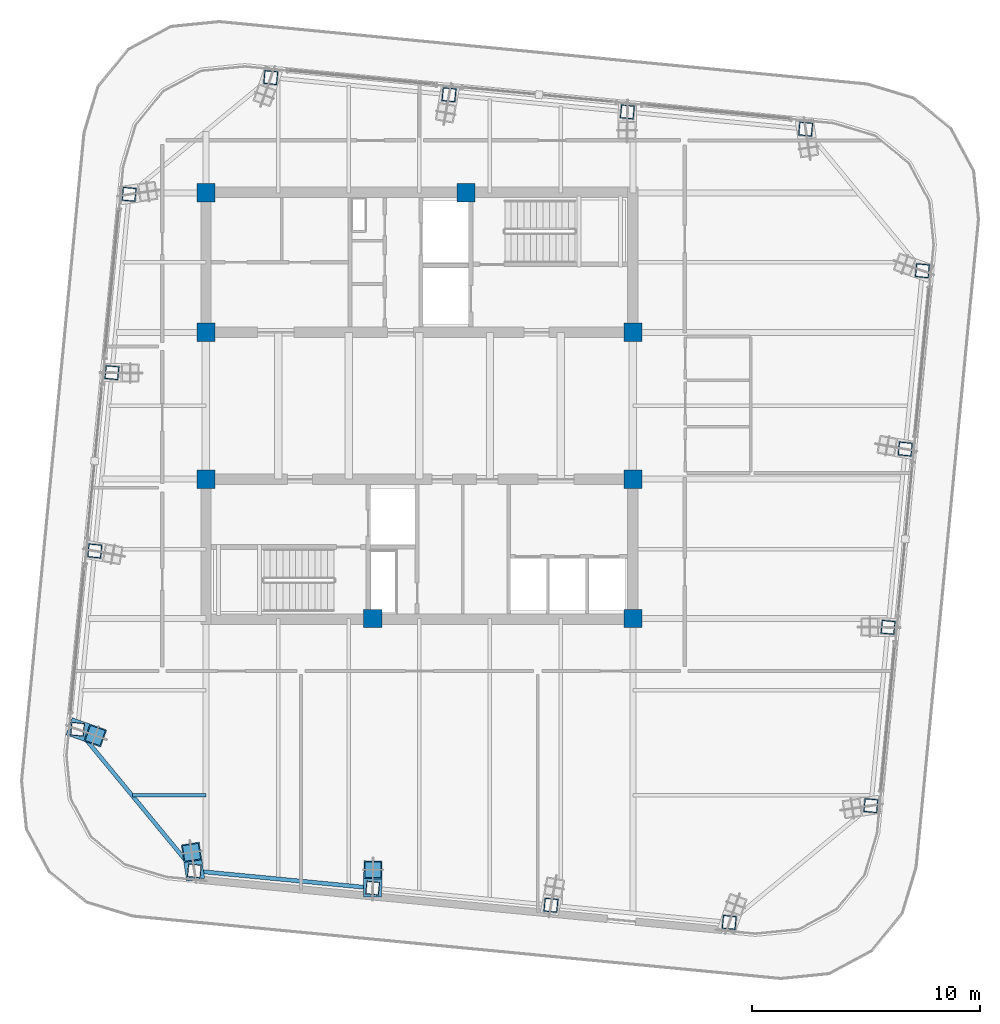
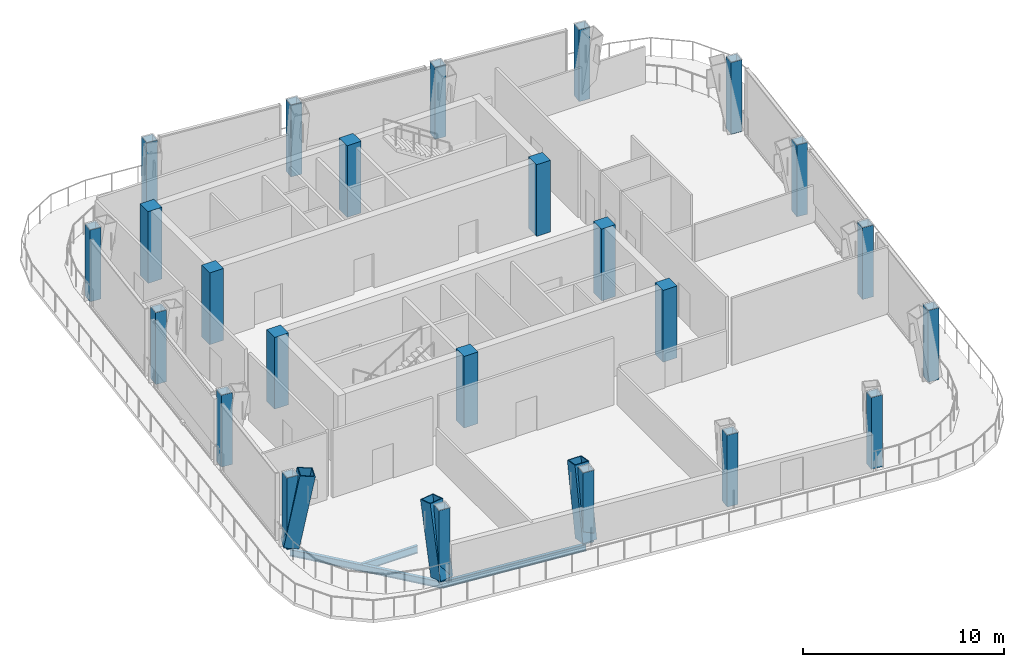
# One storey, part 1 of 19: 24 columns, 3 beams, 3 members.
"""IFC4 building model written with IfcOpenShell, lengths in metres."""

from ifc_helpers import new_model, si_unit, direction, frame, origin, origin_2d, place, context, subcontext, project, spatial, rectangle, hollow_rectangle, i_section, extrude, material, material_profile, profile_set, type_object, element, save


model = new_model("IFC4")

# Units and contexts
model_context = context("Model", 3, precision=1e-05, world=origin(), true_north=direction((0.0, 1.0)))
body_context = subcontext(model_context, "Body", "Model", "MODEL_VIEW")
ifc_project = project(units=[si_unit("LENGTHUNIT", "METRE"), si_unit("AREAUNIT", "SQUARE_METRE"), si_unit("VOLUMEUNIT", "CUBIC_METRE"), si_unit("PLANEANGLEUNIT", "RADIAN"), si_unit("MASSUNIT", "GRAM", prefix="KILO")], contexts=[model_context])

# Site, building, storey
site_placement = place(None, origin())
site = spatial("IfcSite", under=ifc_project, at=site_placement, CompositionType="ELEMENT")
building_placement = place(site_placement, origin())
building = spatial("IfcBuilding", under=site, at=building_placement, Name="Qhalaya Broadcast Tower", CompositionType="ELEMENT")
storey_placement = place(building_placement, frame((0.0, 0.0, 280.550048828125)))
storey = spatial("IfcBuildingStorey", under=building, at=storey_placement, Name="L83", CompositionType="ELEMENT", Elevation=280.550048828125)

# Columns
ifc_material_1 = material(Name="Concrete C50/60", Category="concrete")
ifc_material_profile_1 = material_profile(ifc_material_1, rectangle(XDim=0.800048828125, YDim=0.800048828125, at=origin_2d()), Name="RC-COL 800x800")
ifc_profile_set_1 = profile_set([ifc_material_profile_1], Name="Concrete C50/60")
column_type_1 = type_object("IfcColumnType", Name="RC Upper Column C10", PredefinedType="COLUMN", material=ifc_profile_set_1)
for number, where, z_axis, x_axis, name in (
    (1, (-9.375, 9.949951171875, 0.0), (0.0, 0.0, 1.0), (1.0, 0.0, 0.0), "L83 Column COL-CC1"),
    (2, (2.050048828125, 9.949951171875, 0.0), (0.0, 0.0, 1.0), (1.0, 0.0, 0.0), "L83 Column COL-CC2"),
    (3, (-9.375, 3.824951171875, 0.0), (0.0, 0.0, 1.0), (1.0, 0.0, 0.0), "L83 Column COL-CC3"),
    (4, (9.375, 3.824951171875, 0.0), (0.0, 0.0, 1.0), (1.0, 0.0, 0.0), "L83 Column COL-CC4"),
    (5, (-9.375, -2.625, 0.0), (0.0, 0.0, 1.0), (1.0, 0.0, 0.0), "L83 Column COL-CC5"),
    (6, (9.375, -2.625, 0.0), (0.0, 0.0, 1.0), (1.0, 0.0, 0.0), "L83 Column COL-CC6"),
    (7, (-2.050048828125, -8.75, 0.0), (0.0, 0.0, 1.0), (1.0, 0.0, 0.0), "L83 Column COL-CC7"),
    (8, (9.375, -8.75, 0.0), (0.0, 0.0, 1.0), (1.0, 0.0, 0.0), "L83 Column COL-CC8"),
):
    element("IfcColumn", number, at=place(storey_placement, frame(where, z_axis=z_axis, x_axis=x_axis)), inside=storey, type_object=column_type_1, Name=name, PredefinedType="COLUMN", context=body_context, shape_type="SweptSolid", body=[
        extrude(rectangle(XDim=0.800048828125, YDim=0.800048828125, at=origin_2d()), origin(), (0.0, 0.0, 1.0), 4.349853515625),
    ])
ifc_material_2 = material(Name="Structural Steel ASTM A572 Grade 50", Category="steel")
ifc_material_profile_2 = material_profile(ifc_material_2, hollow_rectangle(XDim=0.60009765625, YDim=0.60009765625, WallThickness=0.0400390625, at=origin_2d()), Name="BOX 600x600x40")
ifc_profile_set_2 = profile_set([ifc_material_profile_2], Name="Structural Steel ASTM A572 Grade 50")
column_type_2 = type_object("IfcColumnType", Name="Steel Box Column C05", PredefinedType="COLUMN", material=ifc_profile_set_2)
for number, where, z_axis, x_axis, name in (
    (9, (-9.883056640625, -19.82861328125, 0.0), (0.0, 0.0, 1.0), (0.995396198367, -0.09584575252, 0.0), "L83 Column COL-CR01"),
    (10, (-2.052490234375, -20.58251953125, 0.0), (0.0, 0.0, 1.0), (0.995396198367, -0.09584575252, 0.0), "L83 Column COL-CR02"),
    (11, (5.77783203125, -21.33642578125, 0.0), (0.0, 0.0, 1.0), (0.995396198367, -0.09584575252, 0.0), "L83 Column COL-CR03"),
    (12, (13.6083984375, -22.09033203125, 0.0), (0.0, 0.0, 1.0), (0.995396198367, -0.09584575252, 0.0), "L83 Column COL-CR04"),
    (13, (19.82861328125, -16.962890625, 0.0), (0.0, 0.0, 1.0), (0.09584575252, 0.995396198367, 0.0), "L83 Column COL-CR05"),
    (14, (20.58251953125, -9.132568359375, 0.0), (0.0, 0.0, 1.0), (0.09584575252, 0.995396198367, 0.0), "L83 Column COL-CR06"),
    (15, (21.33642578125, -1.302001953125, 0.0), (0.0, 0.0, 1.0), (0.09584575252, 0.995396198367, 0.0), "L83 Column COL-CR07"),
    (16, (22.09033203125, 6.5283203125, 0.0), (0.0, 0.0, 1.0), (0.09584575252, 0.995396198367, 0.0), "L83 Column COL-CR08"),
    (17, (16.962890625, 12.74853515625, 0.0), (0.0, 0.0, 1.0), (0.995396198367, -0.09584575252, 0.0), "L83 Column COL-CR09"),
    (18, (9.132568359375, 13.50244140625, 0.0), (0.0, 0.0, 1.0), (0.995396198367, -0.09584575252, 0.0), "L83 Column COL-CR10"),
    (19, (1.302001953125, 14.25634765625, 0.0), (0.0, 0.0, 1.0), (0.995396198367, -0.09584575252, 0.0), "L83 Column COL-CR11"),
    (20, (-6.5283203125, 15.010498046875, 0.0), (0.0, 0.0, 1.0), (0.995396198367, -0.09584575252, 0.0), "L83 Column COL-CR12"),
    (21, (-12.74853515625, 9.883056640625, 0.0), (0.0, 0.0, 1.0), (0.09584575252, 0.995396198367, 0.0), "L83 Column COL-CR13"),
    (22, (-13.50244140625, 2.052490234375, 0.0), (0.0, 0.0, 1.0), (0.09584575252, 0.995396198367, 0.0), "L83 Column COL-CR14"),
    (23, (-14.25634765625, -5.77783203125, 0.0), (0.0, 0.0, 1.0), (0.09584575252, 0.995396198367, 0.0), "L83 Column COL-CR15"),
    (24, (-15.010498046875, -13.6083984375, 0.0), (0.0, 0.0, 1.0), (0.09584575252, 0.995396198367, 0.0), "L83 Column COL-CR16"),
):
    element("IfcColumn", number, at=place(storey_placement, frame(where, z_axis=z_axis, x_axis=x_axis)), inside=storey, type_object=column_type_2, Name=name, PredefinedType="COLUMN", context=body_context, shape_type="SweptSolid", body=[
        extrude(hollow_rectangle(XDim=0.60009765625, YDim=0.60009765625, WallThickness=0.0400390625, at=origin_2d()), origin(), (0.0, 0.0, 1.0), 4.349853515625),
    ])

# Beam
ifc_material_3 = material(Name="Structural Steel ASTM A992 Grade 50", Category="steel")
ifc_material_profile_3 = material_profile(ifc_material_3, i_section(OverallWidth=0.154052734375, OverallDepth=0.458984375, WebThickness=0.009033203125, FlangeThickness=0.015380859375, at=origin_2d()), Name="W18X46")
ifc_profile_set_3 = profile_set([ifc_material_profile_3], Name="Structural Steel ASTM A992 Grade 50")
beam_type_1 = type_object("IfcBeamType", Name="Composite Floor Joist J04", PredefinedType="JOIST", material=ifc_profile_set_3)
beam_1_placement = place(storey_placement, frame((-12.600830078125, -16.5, -0.41943359375), z_axis=(1.0, 0.0, 0.0), x_axis=(0.0, 1.0, 0.0)))
element("IfcBeam", 25, at=beam_1_placement, inside=storey, type_object=beam_type_1, Name="L83 J04 L83-JWE1W-1", PredefinedType="JOIST", context=body_context, shape_type="SweptSolid", body=[
    extrude(i_section(OverallWidth=0.154052734375, OverallDepth=0.458984375, WebThickness=0.009033203125, FlangeThickness=0.015380859375, at=origin_2d()), origin(), (0.0, 0.0, 1.0), 3.225830078125),
])

# Members
ifc_material_profile_4 = material_profile(ifc_material_2, hollow_rectangle(XDim=0.800048828125, YDim=0.800048828125, WallThickness=0.050048828125, at=origin_2d()), Name="BOX 800x800x50")
ifc_profile_set_4 = profile_set([ifc_material_profile_4], Name="Structural Steel ASTM A572 Grade 50")
member_type = type_object("IfcMemberType", Name="Upper Exoskeleton Transfer Strut RK2", PredefinedType="BRACE", material=ifc_profile_set_4)
member_1_placement = place(storey_placement, frame((-9.883056640625, -19.82861328125, 0.0859375), z_axis=(-0.028163872934, 0.187815368206, 0.98180048061), x_axis=(-0.988942865408, -0.148297029503, 0.0)))
element("IfcMember", 26, at=member_1_placement, inside=storey, type_object=member_type, Name="L83 Inclined Exoskeleton Transfer Strut 01", PredefinedType="BRACE", context=body_context, shape_type="SweptSolid", body=[
    extrude(hollow_rectangle(XDim=0.800048828125, YDim=0.800048828125, WallThickness=0.050048828125, at=origin_2d()), origin(), (0.0, 0.0, 1.0), 4.343017578125),
])
member_2_placement = place(storey_placement, frame((-2.052490234375, -20.58251953125, 0.083984375), z_axis=(0.002362241949, 0.184929798256, 0.982748894443), x_axis=(-0.999918425988, 0.012772680624, 0.0)))
element("IfcMember", 27, at=member_2_placement, inside=storey, type_object=member_type, Name="L83 Inclined Exoskeleton Transfer Strut 02", PredefinedType="BRACE", context=body_context, shape_type="SweptSolid", body=[
    extrude(hollow_rectangle(XDim=0.800048828125, YDim=0.800048828125, WallThickness=0.050048828125, at=origin_2d()), origin(), (0.0, 0.0, 1.0), 4.3408203125),
])
member_3_placement = place(storey_placement, frame((-15.010498046875, -13.6083984375, 0.0859375), z_axis=(0.178935370512, -0.063467808139, 0.981811575869), x_axis=(0.334291076193, 0.942469880886, 0.0)))
element("IfcMember", 28, at=member_3_placement, inside=storey, type_object=member_type, Name="L83 Inclined Exoskeleton Transfer Strut 16", PredefinedType="BRACE", context=body_context, shape_type="SweptSolid", body=[
    extrude(hollow_rectangle(XDim=0.800048828125, YDim=0.800048828125, WallThickness=0.050048828125, at=origin_2d()), origin(), (0.0, 0.0, 1.0), 4.343017578125),
])

# Beams
ifc_material_profile_5 = material_profile(ifc_material_3, i_section(OverallWidth=0.177978515625, OverallDepth=0.406005859375, WebThickness=0.0078125, FlangeThickness=0.0126953125, at=origin_2d()), Name="W16X40")
ifc_profile_set_5 = profile_set([ifc_material_profile_5], Name="Structural Steel ASTM A992 Grade 50")
beam_type_2 = type_object("IfcBeamType", Name="Upper Perimeter Spandrel Beam SP2", PredefinedType="SPANDREL", material=ifc_profile_set_5)
beam_2_placement = place(storey_placement, frame((-9.883056640625, -19.82861328125, -0.39306640625), z_axis=(0.995397308407, -0.095834223619, 0.0), x_axis=(0.095834223619, 0.995397308407, 0.0)))
element("IfcBeam", 29, at=beam_2_placement, inside=storey, type_object=beam_type_2, Name="L83 SP2 L83-SPR-01", PredefinedType="SPANDREL", context=body_context, shape_type="SweptSolid", body=[
    extrude(i_section(OverallWidth=0.177978515625, OverallDepth=0.406005859375, WebThickness=0.0078125, FlangeThickness=0.0126953125, at=origin_2d()), origin(), (0.0, 0.0, 1.0), 7.86669921875),
])
beam_3_placement = place(storey_placement, frame((-15.010498046875, -13.6083984375, -0.39306640625), z_axis=(0.636070241972, -0.771631160126, 0.0), x_axis=(0.771631160126, 0.636070241972, 0.0)))
element("IfcBeam", 30, at=beam_3_placement, inside=storey, type_object=beam_type_2, Name="L83 SP2 L83-SPR-16", PredefinedType="SPANDREL", context=body_context, shape_type="SweptSolid", body=[
    extrude(i_section(OverallWidth=0.177978515625, OverallDepth=0.406005859375, WebThickness=0.0078125, FlangeThickness=0.0126953125, at=origin_2d()), origin(), (0.0, 0.0, 1.0), 8.06103515625),
])

save(model, "model.ifc")
